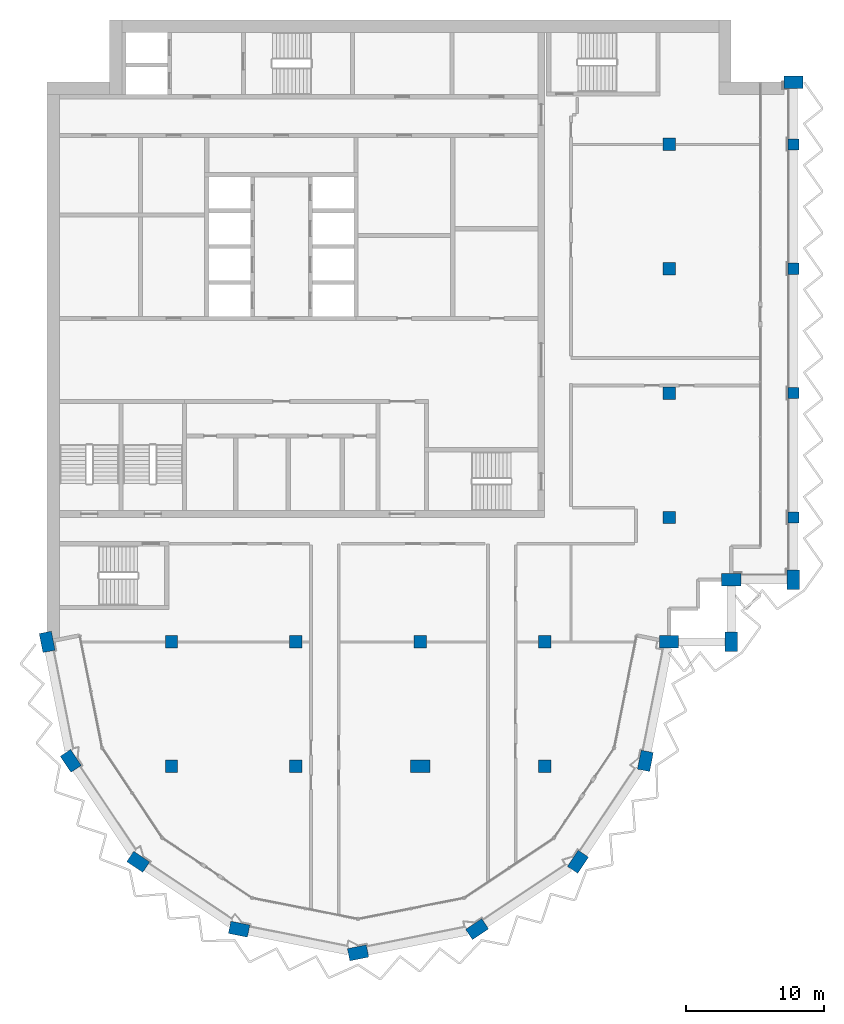
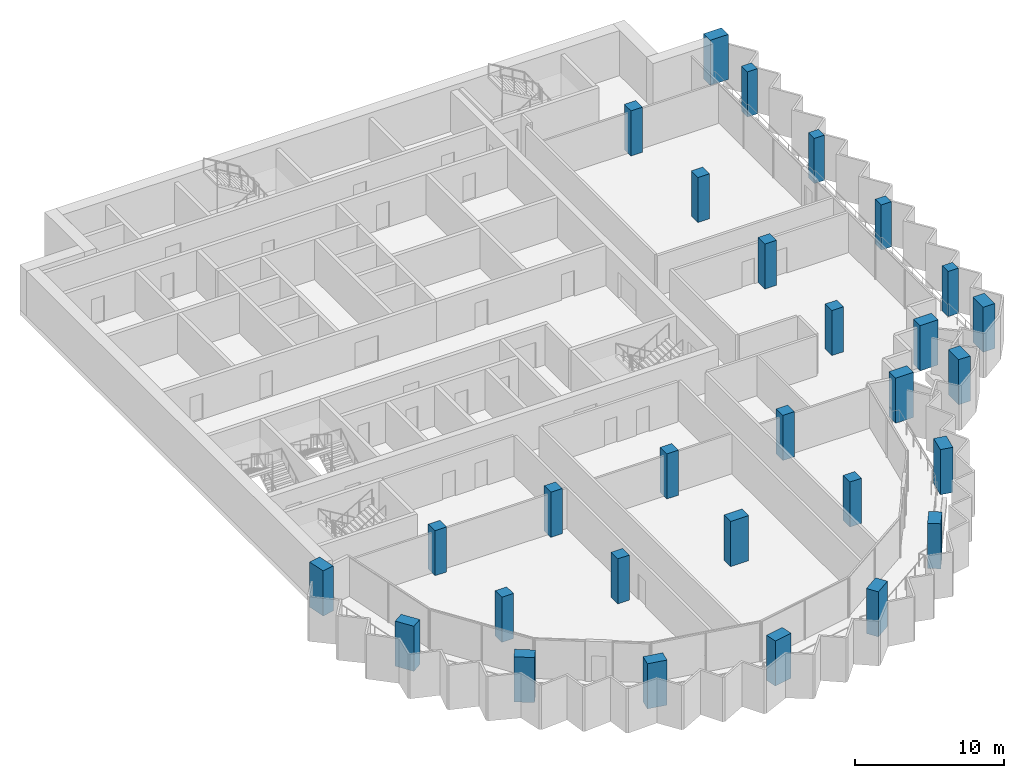
# One storey, part 1 of 14: 29 columns.
"""IFC4 building model written with IfcOpenShell, lengths in metres."""

from ifc_helpers import new_model, si_unit, direction, frame, origin, origin_2d, place, context, subcontext, project, spatial, rectangle, extrude, material, material_profile, profile_set, type_object, element, save


model = new_model("IFC4")

# Units and contexts
model_context = context("Model", 3, precision=1e-05, world=origin(), true_north=direction((0.0, 1.0)))
body_context = subcontext(model_context, "Body", "Model", "MODEL_VIEW")
ifc_project = project(units=[si_unit("LENGTHUNIT", "METRE"), si_unit("AREAUNIT", "SQUARE_METRE"), si_unit("VOLUMEUNIT", "CUBIC_METRE"), si_unit("PLANEANGLEUNIT", "RADIAN"), si_unit("MASSUNIT", "GRAM", prefix="KILO")], contexts=[model_context])

# Site, building, storey
site_placement = place(None, origin())
site = spatial("IfcSite", under=ifc_project, at=site_placement, CompositionType="ELEMENT")
building_placement = place(site_placement, origin())
building = spatial("IfcBuilding", under=site, at=building_placement, Name="Hunhe Ridgeline Campus", CompositionType="ELEMENT")
storey_placement = place(building_placement, frame((0.0, 0.0, 295.60009765625)))
storey = spatial("IfcBuildingStorey", under=building, at=storey_placement, Name="L76", CompositionType="ELEMENT", Elevation=295.60009765625)

# Columns
ifc_material = material(Name="Concrete C50", Category="concrete")
ifc_material_profile_1 = material_profile(ifc_material, rectangle(XDim=1.39990234375, YDim=0.89990234375, at=origin_2d()))
ifc_profile_set_1 = profile_set([ifc_material_profile_1], Name="Concrete C50")
column_type_1 = type_object("IfcColumnType", Name="Megacolumn 1400x900 Concrete C50", PredefinedType="COLUMN", material=ifc_profile_set_1)
for number, where, z_axis, x_axis, name in (
    (1, (22.5, 31.5, 0.0), (0.0, 0.0, 1.0), (0.980785280403, 0.195090322016, 0.0), "Column C16 R20 L76"),
    (2, (13.8896484375, 33.212646484375, 0.0), (0.0, 0.0, 1.0), (-0.980785280403, 0.195090322016, 0.0), "Column C16 R21 L76"),
    (3, (31.1103515625, 33.212646484375, 0.0), (0.0, 0.0, 1.0), (0.831469612303, 0.55557023302, 0.0), "Column C16 R22 L76"),
    (4, (6.590087890625, 38.090087890625, 0.0), (0.0, 0.0, 1.0), (-0.831469612303, 0.55557023302, 0.0), "Column C16 R25 L76"),
    (5, (38.409912109375, 38.090087890625, 0.0), (0.0, 0.0, 1.0), (0.55557023302, 0.831469612303, 0.0), "Column C16 R26 L76"),
    (6, (1.712646484375, 45.3896484375, 0.0), (0.0, 0.0, 1.0), (-0.55557023302, 0.831469612303, 0.0), "Column C16 R27 L76"),
    (7, (43.287353515625, 45.3896484375, 0.0), (0.0, 0.0, 1.0), (0.195090322016, 0.980785280403, 0.0), "Column C16 R28 L76"),
    (8, (0.0, 54.0, 0.0), (0.0, 0.0, 1.0), (-0.195090322016, 0.980785280403, 0.0), "Column C16 G1 L76"),
    (9, (45.0, 54.0, 0.0), (0.0, 0.0, 1.0), (1.0, 0.0, 0.0), "Column C16 G6 L76"),
    (10, (49.5, 54.0, 0.0), (0.0, 0.0, 1.0), (0.0, 1.0, 0.0), "Column C16 R29 L76"),
    (11, (49.5, 58.5, 0.0), (0.0, 0.0, 1.0), (1.0, 0.0, 0.0), "Column C16 R33 L76"),
    (12, (54.0, 58.5, 0.0), (0.0, 0.0, 1.0), (0.0, 1.0, 0.0), "Column C16 R34 L76"),
    (13, (54.0, 94.5, 0.0), (0.0, 0.0, 1.0), (1.0, 0.0, 0.0), "Column C16 R41 L76"),
    (14, (27.0, 45.0, 0.0), (0.0, 0.0, 1.0), (1.0, 0.0, 0.0), "Column C16 F4 L76"),
):
    element("IfcColumn", number, at=place(storey_placement, frame(where, z_axis=z_axis, x_axis=x_axis)), inside=storey, type_object=column_type_1, Name=name, PredefinedType="COLUMN", context=body_context, shape_type="SweptSolid", body=[
        extrude(rectangle(XDim=1.39990234375, YDim=0.89990234375, at=origin_2d()), origin(), (0.0, 0.0, 1.0), 3.699951171875),
    ])
ifc_material_profile_2 = material_profile(ifc_material, rectangle(XDim=0.800048828125, YDim=0.800048828125, at=origin_2d()))
ifc_profile_set_2 = profile_set([ifc_material_profile_2], Name="Concrete C50")
column_type_2 = type_object("IfcColumnType", Name="RC column 800x800 Concrete C50", PredefinedType="COLUMN", material=ifc_profile_set_2)
for number, where, z_axis, x_axis, name in (
    (15, (54.0, 63.0, 0.0), (0.0, 0.0, 1.0), (1.0, 0.0, 0.0), "Column C17 H7 L76"),
    (16, (54.0, 72.0, 0.0), (0.0, 0.0, 1.0), (1.0, 0.0, 0.0), "Column C17 I7 L76"),
    (17, (54.0, 81.0, 0.0), (0.0, 0.0, 1.0), (1.0, 0.0, 0.0), "Column C17 J7 L76"),
    (18, (54.0, 90.0, 0.0), (0.0, 0.0, 1.0), (1.0, 0.0, 0.0), "Column C17 K7 L76"),
):
    element("IfcColumn", number, at=place(storey_placement, frame(where, z_axis=z_axis, x_axis=x_axis)), inside=storey, type_object=column_type_2, Name=name, PredefinedType="COLUMN", context=body_context, shape_type="SweptSolid", body=[
        extrude(rectangle(XDim=0.800048828125, YDim=0.800048828125, at=origin_2d()), origin(), (0.0, 0.0, 1.0), 3.699951171875),
    ])
ifc_material_profile_3 = material_profile(ifc_material, rectangle(XDim=0.89990234375, YDim=0.89990234375, at=origin_2d()))
ifc_profile_set_3 = profile_set([ifc_material_profile_3], Name="Concrete C50")
column_type_3 = type_object("IfcColumnType", Name="RC column 900x900 Concrete C50", PredefinedType="COLUMN", material=ifc_profile_set_3)
for number, where, z_axis, x_axis, name in (
    (19, (9.0, 45.0, 0.0), (0.0, 0.0, 1.0), (1.0, 0.0, 0.0), "Column C18 F2 L76"),
    (20, (9.0, 54.0, 0.0), (0.0, 0.0, 1.0), (1.0, 0.0, 0.0), "Column C18 G2 L76"),
    (21, (18.0, 45.0, 0.0), (0.0, 0.0, 1.0), (1.0, 0.0, 0.0), "Column C18 F3 L76"),
    (22, (18.0, 54.0, 0.0), (0.0, 0.0, 1.0), (1.0, 0.0, 0.0), "Column C18 G3 L76"),
    (23, (27.0, 54.0, 0.0), (0.0, 0.0, 1.0), (1.0, 0.0, 0.0), "Column C18 G4 L76"),
    (24, (36.0, 45.0, 0.0), (0.0, 0.0, 1.0), (1.0, 0.0, 0.0), "Column C18 F5 L76"),
    (25, (36.0, 54.0, 0.0), (0.0, 0.0, 1.0), (1.0, 0.0, 0.0), "Column C18 G5 L76"),
    (26, (45.0, 63.0, 0.0), (0.0, 0.0, 1.0), (1.0, 0.0, 0.0), "Column C18 H6 L76"),
    (27, (45.0, 72.0, 0.0), (0.0, 0.0, 1.0), (1.0, 0.0, 0.0), "Column C18 I6 L76"),
    (28, (45.0, 81.0, 0.0), (0.0, 0.0, 1.0), (1.0, 0.0, 0.0), "Column C18 J6 L76"),
    (29, (45.0, 90.0, 0.0), (0.0, 0.0, 1.0), (1.0, 0.0, 0.0), "Column C18 K6 L76"),
):
    element("IfcColumn", number, at=place(storey_placement, frame(where, z_axis=z_axis, x_axis=x_axis)), inside=storey, type_object=column_type_3, Name=name, PredefinedType="COLUMN", context=body_context, shape_type="SweptSolid", body=[
        extrude(rectangle(XDim=0.89990234375, YDim=0.89990234375, at=origin_2d()), origin(), (0.0, 0.0, 1.0), 3.699951171875),
    ])

save(model, "model.ifc")
